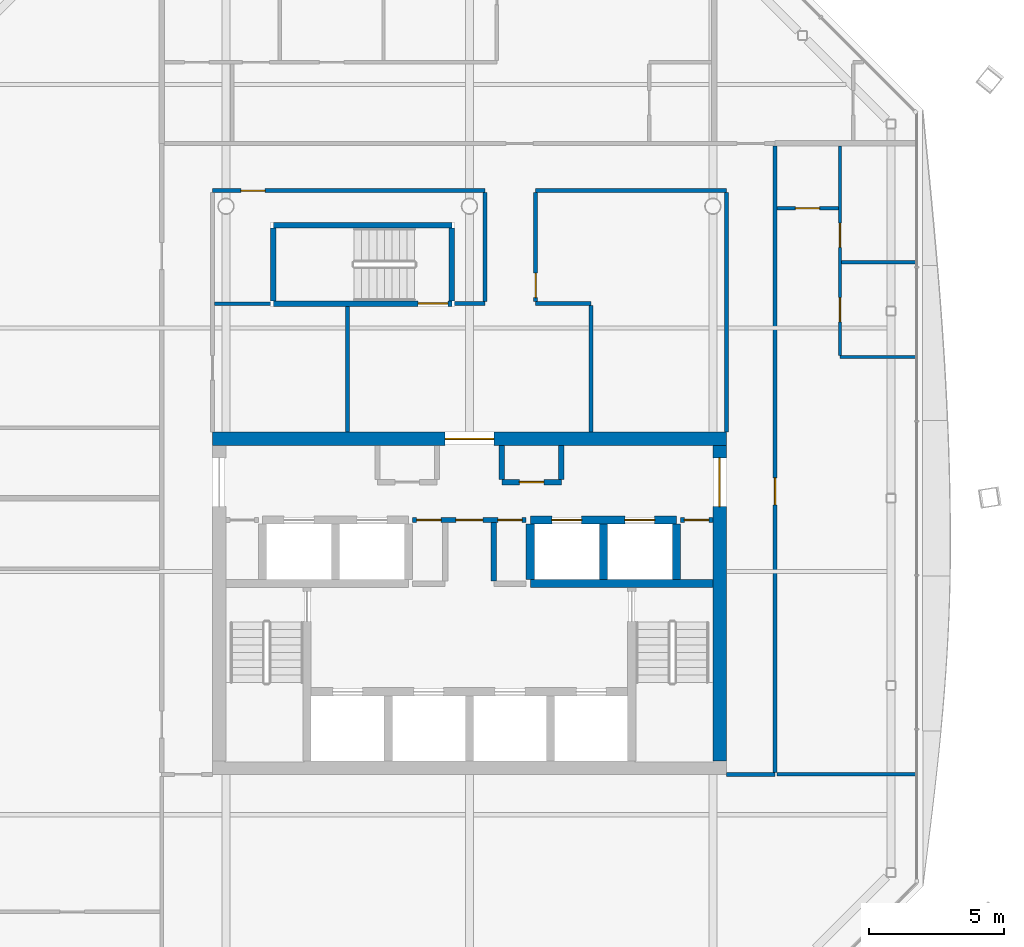
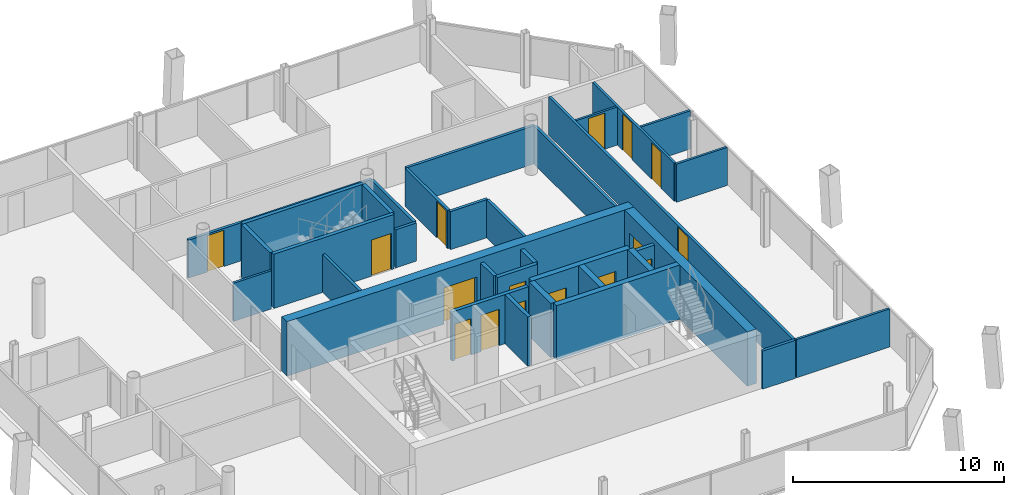
# One storey, part 13 of 19: 34 walls, 16 doors, 16 openings.
"""IFC4 building model written with IfcOpenShell, lengths in metres."""

from ifc_helpers import new_model, si_unit, direction, frame, frame_2d, origin, place, context, subcontext, project, spatial, rectangle, extrude, material, layer, layer_set, type_object, element, fill, save


model = new_model("IFC4")

# Units and contexts
model_context = context("Model", 3, precision=1e-05, world=origin(), true_north=direction((0.0, 1.0)))
body_context = subcontext(model_context, "Body", "Model", "MODEL_VIEW")
ifc_project = project(units=[si_unit("LENGTHUNIT", "METRE"), si_unit("AREAUNIT", "SQUARE_METRE"), si_unit("VOLUMEUNIT", "CUBIC_METRE"), si_unit("PLANEANGLEUNIT", "RADIAN"), si_unit("MASSUNIT", "GRAM", prefix="KILO")], contexts=[model_context])

# Site, building, storey
site_placement = place(None, origin())
site = spatial("IfcSite", under=ifc_project, at=site_placement, CompositionType="ELEMENT")
building_placement = place(site_placement, origin())
building = spatial("IfcBuilding", under=site, at=building_placement, Name="Tskaro Facet Tower", CompositionType="ELEMENT")
storey_placement = place(building_placement, frame((0.0, 0.0, 206.85009765625)))
storey = spatial("IfcBuildingStorey", under=building, at=storey_placement, Name="L53", CompositionType="ELEMENT", Elevation=206.85009765625)

# Wall
ifc_material_1 = material(Name="Concrete C60/75", Category="concrete")
ifc_layer_1 = layer(ifc_material_1, 0.300048828125, Name="Concrete C60/75")
ifc_layer_set_1 = layer_set([ifc_layer_1], Name="Concrete C60/75")
wall_type_1 = type_object("IfcWallType", Name="CORE-SHAFT", PredefinedType="SHEAR", material=ifc_layer_set_1)
wall_1_placement = place(storey_placement, frame((2.25, -4.949951171875, 0.0), z_axis=(0.0, 0.0, 1.0), x_axis=(1.0, 0.0, 0.0)))
element("IfcWall", 1, at=wall_1_placement, inside=storey, type_object=wall_type_1, Name="Shaft wall W012", PredefinedType="SHEAR", context=body_context, shape_type="SweptSolid", body=[
    extrude(rectangle(XDim=6.75, YDim=0.300048828125, at=frame_2d((3.375, 0.0))), origin(), (0.0, 0.0, 1.0), 3.14990234375),
])

# Wall, openings, doors
wall_2_placement = place(storey_placement, frame((2.25, -2.60009765625, 0.0), z_axis=(0.0, 0.0, 1.0), x_axis=(1.0, 0.0, 0.0)))
wall_2 = element("IfcWall", 2, at=wall_2_placement, inside=storey, type_object=wall_type_1, Name="Shaft wall W017", PredefinedType="SHEAR", context=body_context, shape_type="SweptSolid", body=[
    extrude(rectangle(XDim=5.39990234375, YDim=0.300048828125, at=frame_2d((2.699951171875, 0.0))), origin(), (0.0, 0.0, 1.0), 3.14990234375),
])
opening_1_placement = place(wall_2_placement, frame((0.800048828125, 0.0, 0.0)))
opening_1 = element("IfcOpeningElement", 3, at=opening_1_placement, cuts=wall_2, Name="Opening LD-HB3", PredefinedType="OPENING", context=body_context, shape_type="SweptSolid", body=[
    extrude(rectangle(XDim=1.10009765625, YDim=2.10009765625, at=frame_2d((0.550048828125, 1.050048828125))), frame((0.0, 0.159912109375, 0.0), z_axis=(0.0, -1.0, 0.0), x_axis=(1.0, 0.0, 0.0)), (0.0, 0.0, 1.0), 0.320068359375),
])
opening_2_placement = place(wall_2_placement, frame((3.5, 0.0, 0.0)))
opening_2 = element("IfcOpeningElement", 4, at=opening_2_placement, cuts=wall_2, Name="Opening LD-HB4", PredefinedType="OPENING", context=body_context, shape_type="SweptSolid", body=[
    extrude(rectangle(XDim=1.10009765625, YDim=2.10009765625, at=frame_2d((0.550048828125, 1.050048828125))), frame((0.0, 0.159912109375, 0.0), z_axis=(0.0, -1.0, 0.0), x_axis=(1.0, 0.0, 0.0)), (0.0, 0.0, 1.0), 0.320068359375),
])
ifc_material_2 = material(Name="Stainless steel", Category="steel")
door_type_1 = type_object("IfcDoorType", Name="D-LANDING", OperationType="NOTDEFINED", PredefinedType="DOOR", material=ifc_material_2)
door_1_placement = place(opening_1_placement, origin())
door_1 = element("IfcDoor", 5, at=door_1_placement, inside=storey, type_object=door_type_1, Name="Landing door HB3", OperationType="DOUBLE_DOOR_SLIDING", OverallHeight=2.10009765625, OverallWidth=1.10009765625, PredefinedType="DOOR", context=body_context, shape_type="SweptSolid", body=[
    extrude(rectangle(XDim=1.10009765625, YDim=2.10009765625, at=frame_2d((0.550048828125, 1.050048828125))), frame((0.0, 0.02490234375, 0.0), z_axis=(0.0, -1.0, 0.0), x_axis=(1.0, 0.0, 0.0)), (0.0, 0.0, 1.0), 0.050048828125),
])
fill(opening_1, door_1)
door_2_placement = place(opening_2_placement, origin())
door_2 = element("IfcDoor", 6, at=door_2_placement, inside=storey, type_object=door_type_1, Name="Landing door HB4", OperationType="DOUBLE_DOOR_SLIDING", OverallHeight=2.10009765625, OverallWidth=1.10009765625, PredefinedType="DOOR", context=body_context, shape_type="SweptSolid", body=[
    extrude(rectangle(XDim=1.10009765625, YDim=2.10009765625, at=frame_2d((0.550048828125, 1.050048828125))), frame((0.0, 0.02490234375, 0.0), z_axis=(0.0, -1.0, 0.0), x_axis=(1.0, 0.0, 0.0)), (0.0, 0.0, 1.0), 0.050048828125),
])
fill(opening_2, door_2)

# Walls
for number, where, z_axis, x_axis, name in (
    (7, (2.25, -4.800048828125, 0.0), (0.0, 0.0, 1.0), (0.0, 1.0, 0.0), "Shaft wall W071"),
    (8, (4.949951171875, -4.800048828125, 0.0), (0.0, 0.0, 1.0), (0.0, 1.0, 0.0), "Shaft wall W076"),
    (9, (7.64990234375, -4.800048828125, 0.0), (0.0, 0.0, 1.0), (0.0, 1.0, 0.0), "Shaft wall W079"),
):
    element("IfcWall", number, at=place(storey_placement, frame(where, z_axis=z_axis, x_axis=x_axis)), inside=storey, type_object=wall_type_1, Name=name, PredefinedType="SHEAR", context=body_context, shape_type="SweptSolid", body=[
        extrude(rectangle(XDim=2.050048828125, YDim=0.300048828125, at=frame_2d((1.02490234375, 0.0))), origin(), (0.0, 0.0, 1.0), 3.14990234375),
    ])

# Wall, openings, doors
ifc_material_3 = material(Name="Concrete C20/25", Category="concrete")
ifc_layer_2 = layer(ifc_material_3, 0.199951171875, Name="Concrete C20/25")
ifc_layer_set_2 = layer_set([ifc_layer_2], Name="Concrete C20/25")
wall_type_2 = type_object("IfcWallType", Name="CORE-WALL", PredefinedType="SOLIDWALL", material=ifc_layer_set_2)
wall_3_placement = place(storey_placement, frame((2.10009765625, -2.60009765625, 0.0), z_axis=(0.0, 0.0, 1.0), x_axis=(-1.0, 0.0, 0.0)))
wall_3 = element("IfcWall", 10, at=wall_3_placement, inside=storey, type_object=wall_type_2, Name="Core room wall W016", PredefinedType="SOLIDWALL", context=body_context, shape_type="SweptSolid", body=[
    extrude(rectangle(XDim=4.2001953125, YDim=0.199951171875, at=frame_2d((2.10009765625, 0.0))), origin(), (0.0, 0.0, 1.0), 2.849853515625),
])
opening_3_placement = place(wall_3_placement, frame((1.60009765625, 0.0, 0.0)))
opening_3 = element("IfcOpeningElement", 11, at=opening_3_placement, cuts=wall_3, Name="Opening FL-D1", PredefinedType="OPENING", context=body_context, shape_type="SweptSolid", body=[
    extrude(rectangle(XDim=1.0, YDim=2.10009765625, at=frame_2d((0.5, 1.050048828125))), frame((0.0, 0.10986328125, 0.0), z_axis=(0.0, -1.0, 0.0), x_axis=(1.0, 0.0, 0.0)), (0.0, 0.0, 1.0), 0.219970703125),
])
opening_4_placement = place(wall_3_placement, frame((3.14990234375, 0.0, 0.0)))
opening_4 = element("IfcOpeningElement", 12, at=opening_4_placement, cuts=wall_3, Name="Opening T15-D08", PredefinedType="OPENING", context=body_context, shape_type="SweptSolid", body=[
    extrude(rectangle(XDim=0.89990234375, YDim=2.10009765625, at=frame_2d((0.449951171875, 1.050048828125))), frame((0.0, 0.10986328125, 0.0), z_axis=(0.0, -1.0, 0.0), x_axis=(1.0, 0.0, 0.0)), (0.0, 0.0, 1.0), 0.219970703125),
])
opening_5_placement = place(wall_3_placement, frame((0.14990234375, 0.0, 0.0)))
opening_5 = element("IfcOpeningElement", 13, at=opening_5_placement, cuts=wall_3, Name="Opening T15-D09", PredefinedType="OPENING", context=body_context, shape_type="SweptSolid", body=[
    extrude(rectangle(XDim=0.89990234375, YDim=2.10009765625, at=frame_2d((0.449951171875, 1.050048828125))), frame((0.0, 0.10986328125, 0.0), z_axis=(0.0, -1.0, 0.0), x_axis=(1.0, 0.0, 0.0)), (0.0, 0.0, 1.0), 0.219970703125),
])
ifc_material_4 = material(Name="Steel", Category="steel")
door_type_2 = type_object("IfcDoorType", Name="D-LOBBY", OperationType="NOTDEFINED", PredefinedType="DOOR", material=ifc_material_4)
door_3_placement = place(opening_3_placement, origin())
door_3 = element("IfcDoor", 14, at=door_3_placement, inside=storey, type_object=door_type_2, Name="Lobby door FL", OperationType="SINGLE_SWING_RIGHT", OverallHeight=2.10009765625, OverallWidth=1.0, PredefinedType="DOOR", context=body_context, shape_type="SweptSolid", body=[
    extrude(rectangle(XDim=1.0, YDim=2.10009765625, at=frame_2d((0.5, 1.050048828125))), frame((0.0, 0.02490234375, 0.0), z_axis=(0.0, -1.0, 0.0), x_axis=(1.0, 0.0, 0.0)), (0.0, 0.0, 1.0), 0.050048828125),
])
fill(opening_3, door_3)
ifc_material_5 = material(Name="Timber", Category="wood")
door_type_3 = type_object("IfcDoorType", Name="D-ROOM", OperationType="NOTDEFINED", PredefinedType="DOOR", material=ifc_material_5)
door_4_placement = place(opening_4_placement, origin())
door_4 = element("IfcDoor", 15, at=door_4_placement, inside=storey, type_object=door_type_3, Name="Door T15-D08", OperationType="SINGLE_SWING_RIGHT", OverallHeight=2.10009765625, OverallWidth=0.89990234375, PredefinedType="DOOR", context=body_context, shape_type="SweptSolid", body=[
    extrude(rectangle(XDim=0.89990234375, YDim=2.10009765625, at=frame_2d((0.449951171875, 1.050048828125))), frame((0.0, 0.02490234375, 0.0), z_axis=(0.0, -1.0, 0.0), x_axis=(1.0, 0.0, 0.0)), (0.0, 0.0, 1.0), 0.050048828125),
])
fill(opening_4, door_4)
door_5_placement = place(opening_5_placement, origin())
door_5 = element("IfcDoor", 16, at=door_5_placement, inside=storey, type_object=door_type_3, Name="Door T15-D09", OperationType="SINGLE_SWING_RIGHT", OverallHeight=2.10009765625, OverallWidth=0.89990234375, PredefinedType="DOOR", context=body_context, shape_type="SweptSolid", body=[
    extrude(rectangle(XDim=0.89990234375, YDim=2.10009765625, at=frame_2d((0.449951171875, 1.050048828125))), frame((0.0, 0.02490234375, 0.0), z_axis=(0.0, -1.0, 0.0), x_axis=(1.0, 0.0, 0.0)), (0.0, 0.0, 1.0), 0.050048828125),
])
fill(opening_5, door_5)

# Wall, opening, door
wall_4_placement = place(storey_placement, frame((9.0, -2.60009765625, 0.0), z_axis=(0.0, 0.0, 1.0), x_axis=(-1.0, 0.0, 0.0)))
wall_4 = element("IfcWall", 17, at=wall_4_placement, inside=storey, type_object=wall_type_2, Name="Core room wall W018", PredefinedType="SOLIDWALL", context=body_context, shape_type="SweptSolid", body=[
    extrude(rectangle(XDim=1.199951171875, YDim=0.199951171875, at=frame_2d((0.60009765625, 0.0))), origin(), (0.0, 0.0, 1.0), 2.849853515625),
])
opening_6_placement = place(wall_4_placement, frame((0.14990234375, 0.0, 0.0)))
opening_6 = element("IfcOpeningElement", 18, at=opening_6_placement, cuts=wall_4, Name="Opening T15-D10", PredefinedType="OPENING", context=body_context, shape_type="SweptSolid", body=[
    extrude(rectangle(XDim=0.89990234375, YDim=2.10009765625, at=frame_2d((0.449951171875, 1.050048828125))), frame((0.0, 0.10986328125, 0.0), z_axis=(0.0, -1.0, 0.0), x_axis=(1.0, 0.0, 0.0)), (0.0, 0.0, 1.0), 0.219970703125),
])
door_6_placement = place(opening_6_placement, origin())
door_6 = element("IfcDoor", 19, at=door_6_placement, inside=storey, type_object=door_type_3, Name="Door T15-D10", OperationType="SINGLE_SWING_RIGHT", OverallHeight=2.10009765625, OverallWidth=0.89990234375, PredefinedType="DOOR", context=body_context, shape_type="SweptSolid", body=[
    extrude(rectangle(XDim=0.89990234375, YDim=2.10009765625, at=frame_2d((0.449951171875, 1.050048828125))), frame((0.0, 0.02490234375, 0.0), z_axis=(0.0, -1.0, 0.0), x_axis=(1.0, 0.0, 0.0)), (0.0, 0.0, 1.0), 0.050048828125),
])
fill(opening_6, door_6)

wall_5_placement = place(storey_placement, frame((1.199951171875, -1.199951171875, 0.0), z_axis=(0.0, 0.0, 1.0), x_axis=(1.0, 0.0, 0.0)))
wall_5 = element("IfcWall", 20, at=wall_5_placement, inside=storey, type_object=wall_type_2, Name="Core room wall W022", PredefinedType="SOLIDWALL", context=body_context, shape_type="SweptSolid", body=[
    extrude(rectangle(XDim=2.199951171875, YDim=0.199951171875, at=frame_2d((1.10009765625, 0.0))), origin(), (0.0, 0.0, 1.0), 2.849853515625),
])
opening_7_placement = place(wall_5_placement, frame((0.64990234375, 0.0, 0.0)))
opening_7 = element("IfcOpeningElement", 21, at=opening_7_placement, cuts=wall_5, Name="Opening T15-D14", PredefinedType="OPENING", context=body_context, shape_type="SweptSolid", body=[
    extrude(rectangle(XDim=0.89990234375, YDim=2.10009765625, at=frame_2d((0.449951171875, 1.050048828125))), frame((0.0, 0.10986328125, 0.0), z_axis=(0.0, -1.0, 0.0), x_axis=(1.0, 0.0, 0.0)), (0.0, 0.0, 1.0), 0.219970703125),
])
door_7_placement = place(opening_7_placement, origin())
door_7 = element("IfcDoor", 22, at=door_7_placement, inside=storey, type_object=door_type_3, Name="Door T15-D14", OperationType="SINGLE_SWING_LEFT", OverallHeight=2.10009765625, OverallWidth=0.89990234375, PredefinedType="DOOR", context=body_context, shape_type="SweptSolid", body=[
    extrude(rectangle(XDim=0.89990234375, YDim=2.10009765625, at=frame_2d((0.449951171875, 1.050048828125))), frame((0.0, 0.02490234375, 0.0), z_axis=(0.0, -1.0, 0.0), x_axis=(1.0, 0.0, 0.0)), (0.0, 0.0, 1.0), 0.050048828125),
])
fill(opening_7, door_7)

# Walls
wall_6_placement = place(storey_placement, frame((0.89990234375, -4.85009765625, 0.0), z_axis=(0.0, 0.0, 1.0), x_axis=(0.0, 1.0, 0.0)))
element("IfcWall", 23, at=wall_6_placement, inside=storey, type_object=wall_type_2, Name="Core room wall W067", PredefinedType="SOLIDWALL", context=body_context, shape_type="SweptSolid", body=[
    extrude(rectangle(XDim=2.150146484375, YDim=0.199951171875, at=frame_2d((1.0751953125, 0.0))), origin(), (0.0, 0.0, 1.0), 2.849853515625),
])
for number, where, z_axis, x_axis, name in (
    (24, (1.199951171875, -1.10009765625, 0.0), (0.0, 0.0, 1.0), (0.0, 1.0, 0.0), "Core room wall W070"),
    (25, (3.39990234375, -1.10009765625, 0.0), (0.0, 0.0, 1.0), (0.0, 1.0, 0.0), "Core room wall W074"),
):
    element("IfcWall", number, at=place(storey_placement, frame(where, z_axis=z_axis, x_axis=x_axis)), inside=storey, type_object=wall_type_2, Name=name, PredefinedType="SOLIDWALL", context=body_context, shape_type="SweptSolid", body=[
        extrude(rectangle(XDim=1.25, YDim=0.199951171875, at=frame_2d((0.625, 0.0))), origin(), (0.0, 0.0, 1.0), 2.849853515625),
    ])

# Wall, opening, door
ifc_material_6 = material(Name="Concrete C40/50", Category="concrete")
ifc_layer_3 = layer(ifc_material_6, 0.5, Name="Concrete C40/50")
ifc_layer_set_3 = layer_set([ifc_layer_3], Name="Concrete C40/50")
wall_type_3 = type_object("IfcWallType", Name="Core wall 500", PredefinedType="SHEAR", material=ifc_layer_set_3)
wall_7_placement = place(storey_placement, frame((-9.5, 0.39990234375, 0.0), z_axis=(0.0, 0.0, 1.0), x_axis=(1.0, 0.0, 0.0)))
wall_7 = element("IfcWall", 26, at=wall_7_placement, inside=storey, type_object=wall_type_3, Name="Core wall CW-Z3N", PredefinedType="SHEAR", context=body_context, shape_type="SweptSolid", body=[
    extrude(rectangle(XDim=19.0, YDim=0.5, at=frame_2d((9.5, 0.0))), origin(), (0.0, 0.0, 1.0), 3.14990234375),
])
opening_8_placement = place(wall_7_placement, frame((8.60009765625, 0.0, 0.0)))
opening_8 = element("IfcOpeningElement", 27, at=opening_8_placement, cuts=wall_7, Name="Opening T15-D17", PredefinedType="OPENING", context=body_context, shape_type="SweptSolid", body=[
    extrude(rectangle(XDim=1.800048828125, YDim=2.10009765625, at=frame_2d((0.89990234375, 1.050048828125))), frame((0.0, 0.260009765625, 0.0), z_axis=(0.0, -1.0, 0.0), x_axis=(1.0, 0.0, 0.0)), (0.0, 0.0, 1.0), 0.52001953125),
])
door_type_4 = type_object("IfcDoorType", Name="D-CORE-PAIR", OperationType="NOTDEFINED", PredefinedType="DOOR", material=ifc_material_4)
door_8_placement = place(opening_8_placement, origin())
door_8 = element("IfcDoor", 28, at=door_8_placement, inside=storey, type_object=door_type_4, Name="Door T15-D17", OperationType="DOUBLE_DOOR_SINGLE_SWING", OverallHeight=2.10009765625, OverallWidth=1.800048828125, PredefinedType="DOOR", context=body_context, shape_type="SweptSolid", body=[
    extrude(rectangle(XDim=1.800048828125, YDim=2.10009765625, at=frame_2d((0.89990234375, 1.050048828125))), frame((0.0, 0.02490234375, 0.0), z_axis=(0.0, -1.0, 0.0), x_axis=(1.0, 0.0, 0.0)), (0.0, 0.0, 1.0), 0.050048828125),
])
fill(opening_8, door_8)

wall_8_placement = place(storey_placement, frame((9.25, -11.5, 0.0), z_axis=(0.0, 0.0, 1.0), x_axis=(0.0, 1.0, 0.0)))
wall_8 = element("IfcWall", 29, at=wall_8_placement, inside=storey, type_object=wall_type_3, Name="Core wall CW-Z3E", PredefinedType="SHEAR", context=body_context, shape_type="SweptSolid", body=[
    extrude(rectangle(XDim=11.64990234375, YDim=0.5, at=frame_2d((5.824951171875, 0.0))), origin(), (0.0, 0.0, 1.0), 3.14990234375),
])
opening_9_placement = place(wall_8_placement, frame((9.39990234375, 0.0, 0.0)))
opening_9 = element("IfcOpeningElement", 30, at=opening_9_placement, cuts=wall_8, Name="Opening T15-D15", PredefinedType="OPENING", context=body_context, shape_type="SweptSolid", body=[
    extrude(rectangle(XDim=1.800048828125, YDim=2.10009765625, at=frame_2d((0.89990234375, 1.050048828125))), frame((0.0, 0.260009765625, 0.0), z_axis=(0.0, -1.0, 0.0), x_axis=(1.0, 0.0, 0.0)), (0.0, 0.0, 1.0), 0.52001953125),
])
door_9_placement = place(opening_9_placement, origin())
door_9 = element("IfcDoor", 31, at=door_9_placement, inside=storey, type_object=door_type_4, Name="Door T15-D15", OperationType="DOUBLE_DOOR_SINGLE_SWING", OverallHeight=2.10009765625, OverallWidth=1.800048828125, PredefinedType="DOOR", context=body_context, shape_type="SweptSolid", body=[
    extrude(rectangle(XDim=1.800048828125, YDim=2.10009765625, at=frame_2d((0.89990234375, 1.050048828125))), frame((0.0, 0.02490234375, 0.0), z_axis=(0.0, -1.0, 0.0), x_axis=(1.0, 0.0, 0.0)), (0.0, 0.0, 1.0), 0.050048828125),
])
fill(opening_9, door_9)

# Walls
ifc_material_7 = material(Name="Gypsum board on steel studs", Category="steel")
ifc_layer_4 = layer(ifc_material_7, 0.125, Name="Gypsum board on steel studs")
ifc_layer_set_4 = layer_set([ifc_layer_4], Name="Gypsum board on steel studs")
wall_type_4 = type_object("IfcWallType", Name="PART", PredefinedType="PARTITIONING", material=ifc_layer_set_4)
wall_9_placement = place(storey_placement, frame((11.375, -12.0, 0.0), z_axis=(0.0, 0.0, 1.0), x_axis=(1.0, 0.0, 0.0)))
element("IfcWall", 32, at=wall_9_placement, inside=storey, type_object=wall_type_4, Name="Partition W004", PredefinedType="PARTITIONING", context=body_context, shape_type="SweptSolid", body=[
    extrude(rectangle(XDim=5.10791015625, YDim=0.125, at=frame_2d((2.553955078125, 0.0))), origin(), (0.0, 0.0, 1.0), 2.2099609375),
])
wall_10_placement = place(storey_placement, frame((13.699951171875, 3.425048828125, 0.0), z_axis=(0.0, 0.0, 1.0), x_axis=(1.0, 0.0, 0.0)))
element("IfcWall", 33, at=wall_10_placement, inside=storey, type_object=wall_type_4, Name="Partition W025", PredefinedType="PARTITIONING", context=body_context, shape_type="SweptSolid", body=[
    extrude(rectangle(XDim=2.782958984375, YDim=0.125, at=frame_2d((1.3916015625, 0.0))), origin(), (0.0, 0.0, 1.0), 2.2099609375),
])
wall_11_placement = place(storey_placement, frame((-9.425048828125, 5.39990234375, 0.0), z_axis=(0.0, 0.0, 1.0), x_axis=(1.0, 0.0, 0.0)))
element("IfcWall", 34, at=wall_11_placement, inside=storey, type_object=wall_type_4, Name="Partition W028", PredefinedType="PARTITIONING", context=body_context, shape_type="SweptSolid", body=[
    extrude(rectangle(XDim=2.074951171875, YDim=0.125, at=frame_2d((1.03759765625, 0.0))), origin(), (0.0, 0.0, 1.0), 2.2099609375),
])
wall_12_placement = place(storey_placement, frame((13.762451171875, 6.925048828125, 0.0), z_axis=(0.0, 0.0, 1.0), x_axis=(1.0, 0.0, 0.0)))
element("IfcWall", 35, at=wall_12_placement, inside=storey, type_object=wall_type_4, Name="Partition W032", PredefinedType="PARTITIONING", context=body_context, shape_type="SweptSolid", body=[
    extrude(rectangle(XDim=2.720458984375, YDim=0.125, at=frame_2d((1.3603515625, 0.0))), origin(), (0.0, 0.0, 1.0), 2.2099609375),
])

# Wall, opening, door
wall_13_placement = place(storey_placement, frame((11.375, 8.925048828125, 0.0), z_axis=(0.0, 0.0, 1.0), x_axis=(1.0, 0.0, 0.0)))
wall_13 = element("IfcWall", 36, at=wall_13_placement, inside=storey, type_object=wall_type_4, Name="Partition W034", PredefinedType="PARTITIONING", context=body_context, shape_type="SweptSolid", body=[
    extrude(rectangle(XDim=2.262451171875, YDim=0.125, at=frame_2d((1.13134765625, 0.0))), origin(), (0.0, 0.0, 1.0), 2.2099609375),
])
opening_10_placement = place(wall_13_placement, frame((0.675048828125, 0.0, 0.0)))
opening_10 = element("IfcOpeningElement", 37, at=opening_10_placement, cuts=wall_13, Name="Opening T15-D25", PredefinedType="OPENING", context=body_context, shape_type="SweptSolid", body=[
    extrude(rectangle(XDim=0.89990234375, YDim=2.10009765625, at=frame_2d((0.449951171875, 1.050048828125))), frame((0.0, 0.072509765625, 0.0), z_axis=(0.0, -1.0, 0.0), x_axis=(1.0, 0.0, 0.0)), (0.0, 0.0, 1.0), 0.14501953125),
])
door_10_placement = place(opening_10_placement, origin())
door_10 = element("IfcDoor", 38, at=door_10_placement, inside=storey, type_object=door_type_3, Name="Door T15-D25", OperationType="SINGLE_SWING_LEFT", OverallHeight=2.10009765625, OverallWidth=0.89990234375, PredefinedType="DOOR", context=body_context, shape_type="SweptSolid", body=[
    extrude(rectangle(XDim=0.89990234375, YDim=2.10009765625, at=frame_2d((0.449951171875, 1.050048828125))), frame((0.0, 0.02490234375, 0.0), z_axis=(0.0, -1.0, 0.0), x_axis=(1.0, 0.0, 0.0)), (0.0, 0.0, 1.0), 0.050048828125),
])
fill(opening_10, door_10)

# Wall, openings, doors
wall_14_placement = place(storey_placement, frame((13.699951171875, 11.22509765625, 0.0), z_axis=(0.0, 0.0, 1.0), x_axis=(0.0, -1.0, 0.0)))
wall_14 = element("IfcWall", 39, at=wall_14_placement, inside=storey, type_object=wall_type_4, Name="Partition W084", PredefinedType="PARTITIONING", context=body_context, shape_type="SweptSolid", body=[
    extrude(rectangle(XDim=7.737548828125, YDim=0.125, at=frame_2d((3.86865234375, 0.0))), origin(), (0.0, 0.0, 1.0), 2.2099609375),
])
opening_11_placement = place(wall_14_placement, frame((5.60009765625, 0.0, 0.0)))
opening_11 = element("IfcOpeningElement", 40, at=opening_11_placement, cuts=wall_14, Name="Opening T15-D21", PredefinedType="OPENING", context=body_context, shape_type="SweptSolid", body=[
    extrude(rectangle(XDim=0.89990234375, YDim=2.10009765625, at=frame_2d((0.449951171875, 1.050048828125))), frame((0.0, 0.072509765625, 0.0), z_axis=(0.0, -1.0, 0.0), x_axis=(1.0, 0.0, 0.0)), (0.0, 0.0, 1.0), 0.14501953125),
])
opening_12_placement = place(wall_14_placement, frame((2.85009765625, 0.0, 0.0)))
opening_12 = element("IfcOpeningElement", 41, at=opening_12_placement, cuts=wall_14, Name="Opening T15-D24", PredefinedType="OPENING", context=body_context, shape_type="SweptSolid", body=[
    extrude(rectangle(XDim=0.89990234375, YDim=2.10009765625, at=frame_2d((0.449951171875, 1.050048828125))), frame((0.0, 0.072509765625, 0.0), z_axis=(0.0, -1.0, 0.0), x_axis=(1.0, 0.0, 0.0)), (0.0, 0.0, 1.0), 0.14501953125),
])
door_11_placement = place(opening_11_placement, origin())
door_11 = element("IfcDoor", 42, at=door_11_placement, inside=storey, type_object=door_type_3, Name="Door T15-D21", OperationType="SINGLE_SWING_RIGHT", OverallHeight=2.10009765625, OverallWidth=0.89990234375, PredefinedType="DOOR", context=body_context, shape_type="SweptSolid", body=[
    extrude(rectangle(XDim=0.89990234375, YDim=2.10009765625, at=frame_2d((0.449951171875, 1.050048828125))), frame((0.0, 0.02490234375, 0.0), z_axis=(0.0, -1.0, 0.0), x_axis=(1.0, 0.0, 0.0)), (0.0, 0.0, 1.0), 0.050048828125),
])
fill(opening_11, door_11)
door_12_placement = place(opening_12_placement, origin())
door_12 = element("IfcDoor", 43, at=door_12_placement, inside=storey, type_object=door_type_3, Name="Door T15-D24", OperationType="SINGLE_SWING_LEFT", OverallHeight=2.10009765625, OverallWidth=0.89990234375, PredefinedType="DOOR", context=body_context, shape_type="SweptSolid", body=[
    extrude(rectangle(XDim=0.89990234375, YDim=2.10009765625, at=frame_2d((0.449951171875, 1.050048828125))), frame((0.0, 0.02490234375, 0.0), z_axis=(0.0, -1.0, 0.0), x_axis=(1.0, 0.0, 0.0)), (0.0, 0.0, 1.0), 0.050048828125),
])
fill(opening_12, door_12)

# Walls
ifc_layer_5 = layer(ifc_material_7, 0.14990234375, Name="Gypsum board on steel studs")
ifc_layer_set_5 = layer_set([ifc_layer_5], Name="Gypsum board on steel studs")
wall_type_5 = type_object("IfcWallType", Name="PART-CORR", PredefinedType="PARTITIONING", material=ifc_layer_set_5)
wall_15_placement = place(storey_placement, frame((9.5, -12.0, 0.0), z_axis=(0.0, 0.0, 1.0), x_axis=(1.0, 0.0, 0.0)))
element("IfcWall", 44, at=wall_15_placement, inside=storey, type_object=wall_type_5, Name="Corridor wall W003", PredefinedType="PARTITIONING", context=body_context, shape_type="SweptSolid", body=[
    extrude(rectangle(XDim=1.800048828125, YDim=0.14990234375, at=frame_2d((0.89990234375, 0.0))), origin(), (0.0, 0.0, 1.0), 2.2099609375),
])
wall_16_placement = place(storey_placement, frame((-0.550048828125, 5.39990234375, 0.0), z_axis=(0.0, 0.0, 1.0), x_axis=(1.0, 0.0, 0.0)))
element("IfcWall", 45, at=wall_16_placement, inside=storey, type_object=wall_type_5, Name="Corridor wall W030", PredefinedType="PARTITIONING", context=body_context, shape_type="SweptSolid", body=[
    extrude(rectangle(XDim=1.125, YDim=0.14990234375, at=frame_2d((0.5625, 0.0))), origin(), (0.0, 0.0, 1.0), 2.2099609375),
])
wall_17_placement = place(storey_placement, frame((2.449951171875, 5.39990234375, 0.0), z_axis=(0.0, 0.0, 1.0), x_axis=(1.0, 0.0, 0.0)))
element("IfcWall", 46, at=wall_17_placement, inside=storey, type_object=wall_type_5, Name="Corridor wall W031", PredefinedType="PARTITIONING", context=body_context, shape_type="SweptSolid", body=[
    extrude(rectangle(XDim=2.050048828125, YDim=0.14990234375, at=frame_2d((1.02490234375, 0.0))), origin(), (0.0, 0.0, 1.0), 2.2099609375),
])

# Wall, opening, door
wall_18_placement = place(storey_placement, frame((0.574951171875, 9.574951171875, 0.0), z_axis=(0.0, 0.0, 1.0), x_axis=(-1.0, 0.0, 0.0)))
wall_18 = element("IfcWall", 47, at=wall_18_placement, inside=storey, type_object=wall_type_5, Name="Corridor wall W035", PredefinedType="PARTITIONING", context=body_context, shape_type="SweptSolid", body=[
    extrude(rectangle(XDim=10.074951171875, YDim=0.14990234375, at=frame_2d((5.03759765625, 0.0))), origin(), (0.0, 0.0, 1.0), 2.2099609375),
])
opening_13_placement = place(wall_18_placement, frame((8.125, 0.0, 0.0)))
opening_13 = element("IfcOpeningElement", 48, at=opening_13_placement, cuts=wall_18, Name="Opening T15-D26", PredefinedType="OPENING", context=body_context, shape_type="SweptSolid", body=[
    extrude(rectangle(XDim=0.89990234375, YDim=2.10009765625, at=frame_2d((0.449951171875, 1.050048828125))), frame((0.0, 0.0849609375, 0.0), z_axis=(0.0, -1.0, 0.0), x_axis=(1.0, 0.0, 0.0)), (0.0, 0.0, 1.0), 0.169921875),
])
door_13_placement = place(opening_13_placement, origin())
door_13 = element("IfcDoor", 49, at=door_13_placement, inside=storey, type_object=door_type_3, Name="Door T15-D26", OperationType="SINGLE_SWING_RIGHT", OverallHeight=2.10009765625, OverallWidth=0.89990234375, PredefinedType="DOOR", context=body_context, shape_type="SweptSolid", body=[
    extrude(rectangle(XDim=0.89990234375, YDim=2.10009765625, at=frame_2d((0.449951171875, 1.050048828125))), frame((0.0, 0.02490234375, 0.0), z_axis=(0.0, -1.0, 0.0), x_axis=(1.0, 0.0, 0.0)), (0.0, 0.0, 1.0), 0.050048828125),
])
fill(opening_13, door_13)

# Walls
wall_19_placement = place(storey_placement, frame((2.449951171875, 9.574951171875, 0.0), z_axis=(0.0, 0.0, 1.0), x_axis=(1.0, 0.0, 0.0)))
element("IfcWall", 50, at=wall_19_placement, inside=storey, type_object=wall_type_5, Name="Corridor wall W036", PredefinedType="PARTITIONING", context=body_context, shape_type="SweptSolid", body=[
    extrude(rectangle(XDim=7.050048828125, YDim=0.14990234375, at=frame_2d((3.52490234375, 0.0))), origin(), (0.0, 0.0, 1.0), 2.2099609375),
])
wall_20_placement = place(storey_placement, frame((-4.5, 0.64990234375, 0.0), z_axis=(0.0, 0.0, 1.0), x_axis=(0.0, 1.0, 0.0)))
element("IfcWall", 51, at=wall_20_placement, inside=storey, type_object=wall_type_5, Name="Corridor wall W057", PredefinedType="PARTITIONING", context=body_context, shape_type="SweptSolid", body=[
    extrude(rectangle(XDim=4.650146484375, YDim=0.14990234375, at=frame_2d((2.3251953125, 0.0))), origin(), (0.0, 0.0, 1.0), 2.2099609375),
])
wall_21_placement = place(storey_placement, frame((0.574951171875, 5.47509765625, 0.0), z_axis=(0.0, 0.0, 1.0), x_axis=(0.0, 1.0, 0.0)))
element("IfcWall", 52, at=wall_21_placement, inside=storey, type_object=wall_type_5, Name="Corridor wall W066", PredefinedType="PARTITIONING", context=body_context, shape_type="SweptSolid", body=[
    extrude(rectangle(XDim=4.02490234375, YDim=0.14990234375, at=frame_2d((2.012451171875, 0.0))), origin(), (0.0, 0.0, 1.0), 2.2099609375),
])

# Wall, opening, door
wall_22_placement = place(storey_placement, frame((2.449951171875, 9.5, 0.0), z_axis=(0.0, 0.0, 1.0), x_axis=(0.0, -1.0, 0.0)))
wall_22 = element("IfcWall", 53, at=wall_22_placement, inside=storey, type_object=wall_type_5, Name="Corridor wall W072", PredefinedType="PARTITIONING", context=body_context, shape_type="SweptSolid", body=[
    extrude(rectangle(XDim=4.02490234375, YDim=0.14990234375, at=frame_2d((2.012451171875, 0.0))), origin(), (0.0, 0.0, 1.0), 2.2099609375),
])
opening_14_placement = place(wall_22_placement, frame((2.97509765625, 0.0, 0.0)))
opening_14 = element("IfcOpeningElement", 54, at=opening_14_placement, cuts=wall_22, Name="Opening T15-D22", PredefinedType="OPENING", context=body_context, shape_type="SweptSolid", body=[
    extrude(rectangle(XDim=0.89990234375, YDim=2.10009765625, at=frame_2d((0.449951171875, 1.050048828125))), frame((0.0, 0.0849609375, 0.0), z_axis=(0.0, -1.0, 0.0), x_axis=(1.0, 0.0, 0.0)), (0.0, 0.0, 1.0), 0.169921875),
])
door_14_placement = place(opening_14_placement, origin())
door_14 = element("IfcDoor", 55, at=door_14_placement, inside=storey, type_object=door_type_3, Name="Door T15-D22", OperationType="SINGLE_SWING_RIGHT", OverallHeight=2.10009765625, OverallWidth=0.89990234375, PredefinedType="DOOR", context=body_context, shape_type="SweptSolid", body=[
    extrude(rectangle(XDim=0.89990234375, YDim=2.10009765625, at=frame_2d((0.449951171875, 1.050048828125))), frame((0.0, 0.02490234375, 0.0), z_axis=(0.0, -1.0, 0.0), x_axis=(1.0, 0.0, 0.0)), (0.0, 0.0, 1.0), 0.050048828125),
])
fill(opening_14, door_14)

# Walls
wall_23_placement = place(storey_placement, frame((4.5, 0.64990234375, 0.0), z_axis=(0.0, 0.0, 1.0), x_axis=(0.0, 1.0, 0.0)))
element("IfcWall", 56, at=wall_23_placement, inside=storey, type_object=wall_type_5, Name="Corridor wall W075", PredefinedType="PARTITIONING", context=body_context, shape_type="SweptSolid", body=[
    extrude(rectangle(XDim=4.675048828125, YDim=0.14990234375, at=frame_2d((2.33740234375, 0.0))), origin(), (0.0, 0.0, 1.0), 2.2099609375),
])
wall_24_placement = place(storey_placement, frame((9.5, 0.64990234375, 0.0), z_axis=(0.0, 0.0, 1.0), x_axis=(0.0, 1.0, 0.0)))
element("IfcWall", 57, at=wall_24_placement, inside=storey, type_object=wall_type_5, Name="Corridor wall W082", PredefinedType="PARTITIONING", context=body_context, shape_type="SweptSolid", body=[
    extrude(rectangle(XDim=8.85009765625, YDim=0.14990234375, at=frame_2d((4.425048828125, 0.0))), origin(), (0.0, 0.0, 1.0), 2.2099609375),
])

# Wall, opening, door
wall_25_placement = place(storey_placement, frame((11.300048828125, 11.22509765625, 0.0), z_axis=(0.0, 0.0, 1.0), x_axis=(0.0, -1.0, 0.0)))
wall_25 = element("IfcWall", 58, at=wall_25_placement, inside=storey, type_object=wall_type_5, Name="Corridor wall W083", PredefinedType="PARTITIONING", context=body_context, shape_type="SweptSolid", body=[
    extrude(rectangle(XDim=23.150146484375, YDim=0.14990234375, at=frame_2d((11.5751953125, 0.0))), origin(), (0.0, 0.0, 1.0), 2.2099609375),
])
opening_15_placement = place(wall_25_placement, frame((12.262451171875, 0.0, 0.0)))
opening_15 = element("IfcOpeningElement", 59, at=opening_15_placement, cuts=wall_25, Name="Opening T15-D11", PredefinedType="OPENING", context=body_context, shape_type="SweptSolid", body=[
    extrude(rectangle(XDim=1.0, YDim=2.10009765625, at=frame_2d((0.5, 1.050048828125))), frame((0.0, 0.0849609375, 0.0), z_axis=(0.0, -1.0, 0.0), x_axis=(1.0, 0.0, 0.0)), (0.0, 0.0, 1.0), 0.169921875),
])
door_type_5 = type_object("IfcDoorType", Name="D-FLAT-ENTRY", OperationType="NOTDEFINED", PredefinedType="DOOR", material=ifc_material_5)
door_15_placement = place(opening_15_placement, origin())
door_15 = element("IfcDoor", 60, at=door_15_placement, inside=storey, type_object=door_type_5, Name="Door T15-D11", OperationType="SINGLE_SWING_RIGHT", OverallHeight=2.10009765625, OverallWidth=1.0, PredefinedType="DOOR", context=body_context, shape_type="SweptSolid", body=[
    extrude(rectangle(XDim=1.0, YDim=2.10009765625, at=frame_2d((0.5, 1.050048828125))), frame((0.0, 0.02490234375, 0.0), z_axis=(0.0, -1.0, 0.0), x_axis=(1.0, 0.0, 0.0)), (0.0, 0.0, 1.0), 0.050048828125),
])
fill(opening_15, door_15)

ifc_layer_6 = layer(ifc_material_1, 0.199951171875, Name="Concrete C60/75")
ifc_layer_set_6 = layer_set([ifc_layer_6], Name="Concrete C60/75")
wall_type_6 = type_object("IfcWallType", Name="STAIR-WALL", PredefinedType="SHEAR", material=ifc_layer_set_6)
wall_26_placement = place(storey_placement, frame((-7.25, 5.39990234375, 0.0), z_axis=(0.0, 0.0, 1.0), x_axis=(1.0, 0.0, 0.0)))
wall_26 = element("IfcWall", 61, at=wall_26_placement, inside=storey, type_object=wall_type_6, Name="Stair wall W029", PredefinedType="SHEAR", context=body_context, shape_type="SweptSolid", body=[
    extrude(rectangle(XDim=6.60009765625, YDim=0.199951171875, at=frame_2d((3.300048828125, 0.0))), origin(), (0.0, 0.0, 1.0), 3.14990234375),
])
opening_16_placement = place(wall_26_placement, frame((5.35009765625, 0.0, 0.0)))
opening_16 = element("IfcOpeningElement", 62, at=opening_16_placement, cuts=wall_26, Name="Opening ST-3-D1", PredefinedType="OPENING", context=body_context, shape_type="SweptSolid", body=[
    extrude(rectangle(XDim=1.10009765625, YDim=2.10009765625, at=frame_2d((0.550048828125, 1.050048828125))), frame((0.0, 0.10986328125, 0.0), z_axis=(0.0, -1.0, 0.0), x_axis=(1.0, 0.0, 0.0)), (0.0, 0.0, 1.0), 0.219970703125),
])
door_type_6 = type_object("IfcDoorType", Name="D-STAIR", OperationType="NOTDEFINED", PredefinedType="DOOR", material=ifc_material_4)
door_16_placement = place(opening_16_placement, origin())
door_16 = element("IfcDoor", 63, at=door_16_placement, inside=storey, type_object=door_type_6, Name="Stair door 3", OperationType="SINGLE_SWING_LEFT", OverallHeight=2.10009765625, OverallWidth=1.10009765625, PredefinedType="DOOR", context=body_context, shape_type="SweptSolid", body=[
    extrude(rectangle(XDim=1.10009765625, YDim=2.10009765625, at=frame_2d((0.550048828125, 1.050048828125))), frame((0.0, 0.02490234375, 0.0), z_axis=(0.0, -1.0, 0.0), x_axis=(1.0, 0.0, 0.0)), (0.0, 0.0, 1.0), 0.050048828125),
])
fill(opening_16, door_16)

# Walls
wall_27_placement = place(storey_placement, frame((-7.25, 8.300048828125, 0.0), z_axis=(0.0, 0.0, 1.0), x_axis=(1.0, 0.0, 0.0)))
element("IfcWall", 64, at=wall_27_placement, inside=storey, type_object=wall_type_6, Name="Stair wall W033", PredefinedType="SHEAR", context=body_context, shape_type="SweptSolid", body=[
    extrude(rectangle(XDim=6.60009765625, YDim=0.199951171875, at=frame_2d((3.300048828125, 0.0))), origin(), (0.0, 0.0, 1.0), 3.14990234375),
])
for number, where, z_axis, x_axis, name in (
    (65, (-7.25, 5.5, 0.0), (0.0, 0.0, 1.0), (0.0, 1.0, 0.0), "Stair wall W052"),
    (66, (-0.64990234375, 5.5, 0.0), (0.0, 0.0, 1.0), (0.0, 1.0, 0.0), "Stair wall W064"),
):
    element("IfcWall", number, at=place(storey_placement, frame(where, z_axis=z_axis, x_axis=x_axis)), inside=storey, type_object=wall_type_6, Name=name, PredefinedType="SHEAR", context=body_context, shape_type="SweptSolid", body=[
        extrude(rectangle(XDim=2.699951171875, YDim=0.199951171875, at=frame_2d((1.35009765625, 0.0))), origin(), (0.0, 0.0, 1.0), 3.14990234375),
    ])

save(model, "model.ifc")
